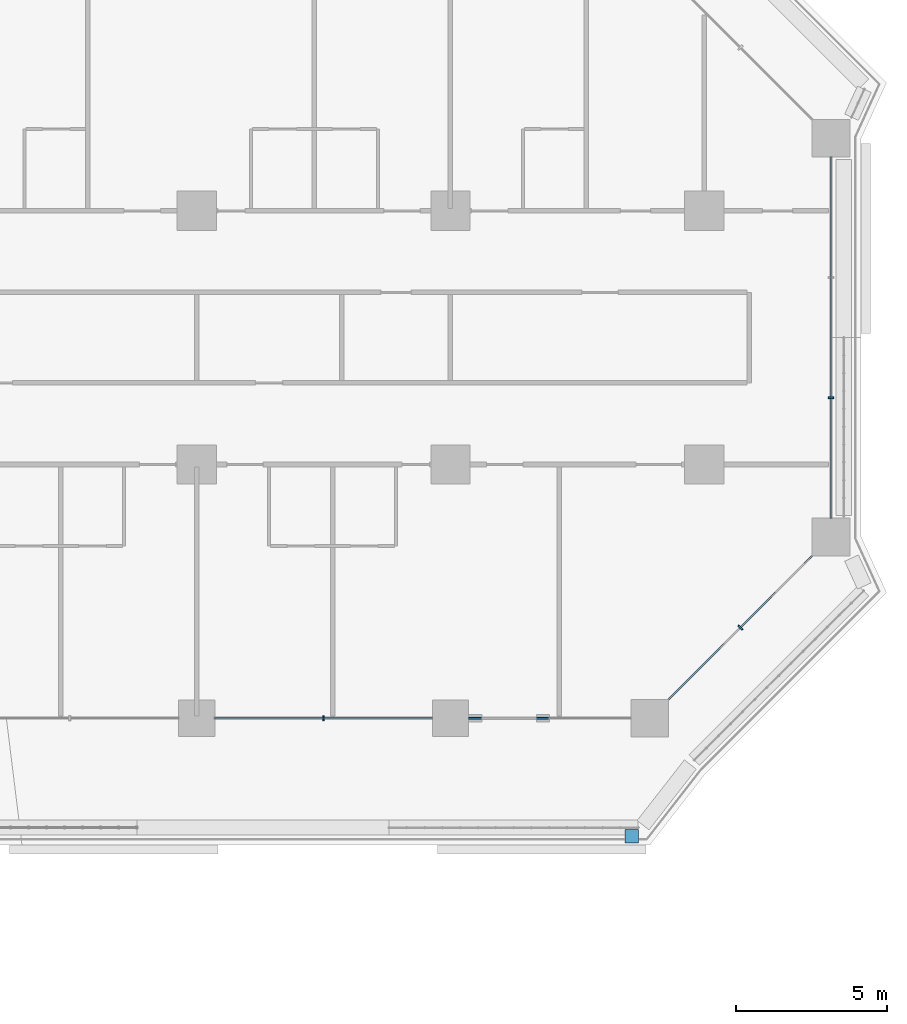
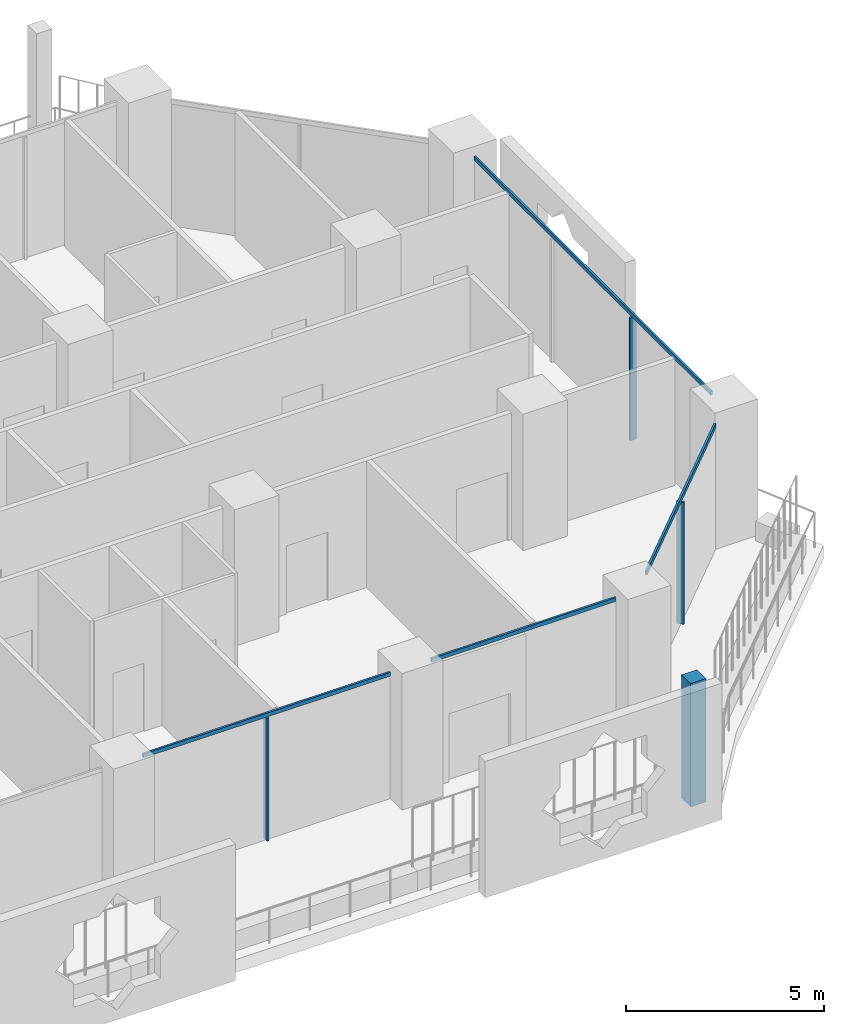
# One storey, part 7 of 28: 8 members, 4 elements without a shape of their own.
"""IFC4 building model written with IfcOpenShell, lengths in metres."""

import ifcopenshell
import ifcopenshell.guid

model = None  # the IFC model being written
_history = None  # IfcOwnerHistory: only IFC2X3 demands one
_inside = {}  # id of a spatial element -> (the spatial element, [elements in it])
_under = {}  # id of a project, library or spatial element -> (it, [spatial elements below it])
_declared = {}  # id of a project -> (the project, [libraries it declares])
_typed = {}  # id of a type object -> (the type object, [elements of that type])
_made_of = {}  # id of a material, layer set ... -> (it, [elements and type objects made of it])


def new_model(schema):
    """Start an empty IFC model of exactly this schema.

    Asked for "IFC4X3", IfcOpenShell would pick the latest addendum, in which some entities
    have other attributes; the version numbers below select the first issue.
    IFC2X3 requires an IfcOwnerHistory on every rooted entity: one is made here for all.
    """
    global model, _history
    if schema == "IFC4X3":
        model = ifcopenshell.file(schema_version=(4, 3, 0, 0))
    else:
        model = ifcopenshell.file(schema=schema)
    _inside.clear()
    _under.clear()
    _declared.clear()
    _typed.clear()
    _made_of.clear()
    _history = None
    if model.schema == "IFC2X3":
        org = make("IfcOrganization", Name="unknown")
        user = make(
            "IfcPersonAndOrganization",
            ThePerson=make("IfcPerson", FamilyName="unknown"),
            TheOrganization=org,
        )
        app = make(
            "IfcApplication",
            ApplicationDeveloper=org,
            Version="unknown",
            ApplicationFullName="unknown",
            ApplicationIdentifier="unknown",
        )
        _history = make(
            "IfcOwnerHistory",
            OwningUser=user,
            OwningApplication=app,
            ChangeAction="ADDED",
            CreationDate=0,
        )
    return model


def make(cls, **values):
    """One entity of the class cls with the attributes given. An attribute that is None is left unset."""
    return model.create_entity(
        cls, **{name: value for name, value in values.items() if value is not None}
    )


def rooted(cls, **values):
    """An entity with a GlobalId (a new one), such as an element, a storey or a relation."""
    return make(cls, GlobalId=ifcopenshell.guid.new(), OwnerHistory=_history, **values)


def si_unit(unit_type, name, prefix=None):
    """IfcSIUnit, for example si_unit("LENGTHUNIT", "METRE", prefix="MILLI")."""
    return make("IfcSIUnit", UnitType=unit_type, Prefix=prefix, Name=name)


def assignment(units):
    """IfcUnitAssignment: the units of a project."""
    return None if units is None else make("IfcUnitAssignment", Units=units)


def point(xyz):
    """IfcCartesianPoint."""
    return None if xyz is None else make("IfcCartesianPoint", Coordinates=xyz)


def direction(xyz):
    """IfcDirection."""
    return None if xyz is None else make("IfcDirection", DirectionRatios=xyz)


def frame(location, z_axis=None, x_axis=None):
    """IfcAxis2Placement3D, a coordinate frame: its origin and axes. An axis left out is left unset."""
    return make(
        "IfcAxis2Placement3D",
        Location=point(location),
        Axis=direction(z_axis),
        RefDirection=direction(x_axis),
    )


def frame_2d(location, x_axis=None):
    """IfcAxis2Placement2D, a coordinate frame in the plane: its origin and x axis."""
    return make(
        "IfcAxis2Placement2D", Location=point(location), RefDirection=direction(x_axis)
    )


def origin():
    """The frame at (0, 0, 0) with its axes left unset."""
    return frame((0.0, 0.0, 0.0))


def origin_2d():
    """The frame at (0, 0) in the plane with its x axis left unset."""
    return frame_2d((0.0, 0.0))


def place(relative_to, where):
    """IfcLocalPlacement: puts the frame where relative to a parent placement (None: the world)."""
    return make(
        "IfcLocalPlacement", PlacementRelTo=relative_to, RelativePlacement=where
    )


def context(
    kind, dimensions, precision=None, world=None, true_north=None, identifier=None
):
    """IfcGeometricRepresentationContext, for example the 3D "Model" context."""
    return make(
        "IfcGeometricRepresentationContext",
        ContextIdentifier=identifier,
        ContextType=kind,
        CoordinateSpaceDimension=dimensions,
        Precision=precision,
        WorldCoordinateSystem=world,
        TrueNorth=true_north,
    )


def subcontext(parent, identifier, kind, view, scale=None):
    """IfcGeometricRepresentationSubContext, for example "Body" below "Model"."""
    return make(
        "IfcGeometricRepresentationSubContext",
        ContextIdentifier=identifier,
        ContextType=kind,
        ParentContext=parent,
        TargetScale=scale,
        TargetView=view,
    )


def project(units=None, contexts=None):
    """IfcProject with its units and contexts."""
    return rooted(
        "IfcProject",
        Name="project",
        RepresentationContexts=contexts,
        UnitsInContext=assignment(units),
    )


def spatial(cls, under=None, at=None, **own):
    """A site, building, storey or space (cls), placed at a placement, below another one or the project."""
    s = rooted(cls, ObjectPlacement=at, **own)
    if under is not None:
        _under.setdefault(under.id(), (under, []))[1].append(s)
    return s


def profile(cls, at=None, kind="AREA", **sizes):
    """A parametric profile (cls). Its sizes go by their IFC names, for example OverallWidth=200.0."""
    return make(cls, ProfileType=kind, Position=at, **sizes)


def rectangle(**sizes):
    """IfcRectangleProfileDef."""
    return profile("IfcRectangleProfileDef", **sizes)


def extrude(swept, where, along, depth):
    """IfcExtrudedAreaSolid: the profile swept, set in the frame where, extruded along a direction by depth."""
    return make(
        "IfcExtrudedAreaSolid",
        SweptArea=swept,
        Position=where,
        ExtrudedDirection=direction(along),
        Depth=depth,
    )


def shape(context_of_items, identifier, shape_type, items):
    """IfcShapeRepresentation: the items that make up one representation, for example the "Body"."""
    return make(
        "IfcShapeRepresentation",
        ContextOfItems=context_of_items,
        RepresentationIdentifier=identifier,
        RepresentationType=shape_type,
        Items=items,
    )


def material(Name=None, Category=None):
    """IfcMaterial."""
    return make("IfcMaterial", Name=Name, Category=Category)


def layer(
    of_material, thickness, ventilated=None, Name=None, Category=None, Priority=None
):
    """IfcMaterialLayer: one layer of a wall or slab, of a material (None: an air gap)."""
    return make(
        "IfcMaterialLayer",
        Material=of_material,
        LayerThickness=thickness,
        IsVentilated=ventilated,
        Name=Name,
        Category=Category,
        Priority=Priority,
    )


def layer_set(layers, Name=None):
    """IfcMaterialLayerSet."""
    return make("IfcMaterialLayerSet", MaterialLayers=layers, LayerSetName=Name)


def material_profile(
    of_material, cross_section, Name=None, Category=None, Priority=None
):
    """IfcMaterialProfile: a cross section and its material."""
    return make(
        "IfcMaterialProfile",
        Name=Name,
        Material=of_material,
        Profile=cross_section,
        Priority=Priority,
        Category=Category,
    )


def profile_set(profiles, Name=None, composite=None):
    """IfcMaterialProfileSet."""
    return make(
        "IfcMaterialProfileSet",
        Name=Name,
        MaterialProfiles=profiles,
        CompositeProfile=composite,
    )


def made_of(thing, what):
    """Note that an element or type object is made of a material, layer set ...; save() writes the relation."""
    if what is not None:
        _made_of.setdefault(what.id(), (what, []))[1].append(thing)
    return thing


def type_object(cls, material=None, **own):
    """A type object (cls), such as IfcWallType, which elements share."""
    return made_of(rooted(cls, **own), material)


def element(
    cls,
    number,
    at=None,
    inside=None,
    cuts=None,
    type_object=None,
    material=None,
    context=None,
    identifier="Body",
    shape_type=None,
    held_by="IfcProductDefinitionShape",
    body=None,
    shapes=None,
    **own,
):
    """One element of the class cls, such as IfcWall. Its Tag is "e" and its number.

    at: its placement. inside: the storey or other place that contains it. cuts: it is an
    opening in that element (IfcRelVoidsElement). A single representation is given by context,
    identifier, shape_type and body (its items); several are given by shapes. held_by: the class
    of the entity that holds the representations. save() writes the other relations.
    """
    e = rooted(cls, Tag="e%d" % number, ObjectPlacement=at, **own)
    if body is not None:
        shapes = [shape(context, identifier, shape_type, body)]
    if shapes is not None:
        e.Representation = make(held_by, Representations=shapes)
    if inside is not None:
        _inside.setdefault(inside.id(), (inside, []))[1].append(e)
    if cuts is not None:
        rooted(
            "IfcRelVoidsElement", RelatingBuildingElement=cuts, RelatedOpeningElement=e
        )
    if type_object is not None:
        _typed.setdefault(type_object.id(), (type_object, []))[1].append(e)
    return made_of(e, material)


def aggregate(whole, parts):
    """IfcRelAggregates: a whole, such as a stair, and the parts it consists of."""
    return rooted("IfcRelAggregates", RelatingObject=whole, RelatedObjects=parts)


def save(model, path):
    """Write the relations noted so far, then the file.

    IfcRelAggregates (storeys below a building ...), IfcRelContainedInSpatialStructure (elements
    in a storey), IfcRelDefinesByType, IfcRelAssociatesMaterial and IfcRelDeclares: one each for
    every whole, place, type object, material and project.
    """
    for whole, parts in _under.values():
        aggregate(whole, parts)
    for where, things in _inside.values():
        rooted(
            "IfcRelContainedInSpatialStructure",
            RelatedElements=things,
            RelatingStructure=where,
        )
    for kind, things in _typed.values():
        rooted("IfcRelDefinesByType", RelatedObjects=things, RelatingType=kind)
    for what, things in _made_of.values():
        rooted("IfcRelAssociatesMaterial", RelatedObjects=things, RelatingMaterial=what)
    for by, libraries in _declared.values():
        rooted("IfcRelDeclares", RelatingContext=by, RelatedDefinitions=libraries)
    model.write(path)


model = new_model("IFC4")

# Units and contexts
model_context = context("Model", 3, precision=1e-05, world=origin(), true_north=direction((0.0, 1.0)))
body_context = subcontext(model_context, "Body", "Model", "MODEL_VIEW")
ifc_project = project(units=[si_unit("LENGTHUNIT", "METRE"), si_unit("AREAUNIT", "SQUARE_METRE"), si_unit("VOLUMEUNIT", "CUBIC_METRE"), si_unit("PLANEANGLEUNIT", "RADIAN"), si_unit("MASSUNIT", "GRAM", prefix="KILO")], contexts=[model_context])

# Site, building, storey
site_placement = place(None, origin())
site = spatial("IfcSite", under=ifc_project, at=site_placement, CompositionType="ELEMENT")
building_placement = place(site_placement, origin())
building = spatial("IfcBuilding", under=site, at=building_placement, Name="Kawkab Arch Medical Tower", CompositionType="ELEMENT")
storey_placement = place(building_placement, frame((0.0, 0.0, 56.0)))
storey = spatial("IfcBuildingStorey", under=building, at=storey_placement, Name="L12", CompositionType="ELEMENT", Elevation=56.0)

# Curtain wall, member
ifc_material_1 = material(Name="Bronze anodised aluminium curtain wall frame", Category="aluminium")
ifc_layer_1 = layer(ifc_material_1, 0.159912109375)
ifc_layer_set_1 = layer_set([ifc_layer_1], Name="Bronze anodised aluminium curtain wall frame")
curtain_wall_type_1 = type_object("IfcCurtainWallType", Name="CW1 ward curtain wall", PredefinedType="NOTDEFINED", material=ifc_layer_set_1)
placement = place(storey_placement, origin())
curtain_wall_1 = element("IfcCurtainWall", 1, at=placement, inside=storey, type_object=curtain_wall_type_1, Name="CW1 Ward curtain wall R07", PredefinedType="NOTDEFINED")
ifc_material_2 = material(Name="Bronze anodised aluminium curtain wall frame", Category="aluminium")
ifc_material_profile_1 = material_profile(ifc_material_2, rectangle(XDim=0.179931640625, YDim=0.06005859375, at=origin_2d()), Name="AL 60x180")
ifc_profile_set_1 = profile_set([ifc_material_profile_1], Name="Bronze anodised aluminium curtain wall frame")
member_type_1 = type_object("IfcMemberType", Name="CW1 mullion 60 x 180", PredefinedType="MULLION", material=ifc_profile_set_1)
member_1_placement = place(storey_placement, frame((63.0, -25.199951171875, 0.0), z_axis=(0.0, 0.0, 1.0), x_axis=(0.0, 1.0, 0.0)))
member_1 = element("IfcMember", 2, at=member_1_placement, type_object=member_type_1, Name="CW1 mullion 4.1", PredefinedType="MULLION", context=body_context, shape_type="SweptSolid", body=[
    extrude(rectangle(XDim=0.179931640625, YDim=0.06005859375, at=origin_2d()), origin(), (0.0, 0.0, 1.0), 3.780029296875),
])

curtain_wall_2 = element("IfcCurtainWall", 3, at=placement, inside=storey, type_object=curtain_wall_type_1, Name="CW1 Ward curtain wall R09", PredefinedType="NOTDEFINED")
member_2_placement = place(storey_placement, frame((79.800048828125, -14.591552734375, 0.0), z_axis=(0.0, 0.0, 1.0), x_axis=(-1.0, 0.0, 0.0)))
member_2 = element("IfcMember", 4, at=member_2_placement, type_object=member_type_1, Name="CW1 mullion 1.1", PredefinedType="MULLION", context=body_context, shape_type="SweptSolid", body=[
    extrude(rectangle(XDim=0.179931640625, YDim=0.06005859375, at=origin_2d()), origin(), (0.0, 0.0, 1.0), 3.780029296875),
])

# Member
ifc_material_3 = material(Name="Bronze anodised aluminium curtain wall frame", Category="aluminium")
ifc_material_profile_2 = material_profile(ifc_material_3, rectangle(XDim=0.06005859375, YDim=0.1201171875, at=origin_2d()), Name="AL 60x120")
ifc_profile_set_2 = profile_set([ifc_material_profile_2], Name="Bronze anodised aluminium curtain wall frame")
member_type_2 = type_object("IfcMemberType", Name="CW1 transom 120 x 60", PredefinedType="USERDEFINED", material=ifc_profile_set_2)
member_3_placement = place(storey_placement, frame((59.39990234375, -25.199951171875, 3.840087890625), z_axis=(1.0, 0.0, 0.0), x_axis=(0.0, 1.0, 0.0)))
member_3 = element("IfcMember", 5, at=member_3_placement, type_object=member_type_2, Name="CW1 transom 4", ObjectType="TRANSOM", PredefinedType="USERDEFINED", context=body_context, shape_type="SweptSolid", body=[
    extrude(rectangle(XDim=0.06005859375, YDim=0.1201171875, at=origin_2d()), origin(), (0.0, 0.0, 1.0), 7.2001953125),
])

member_4_placement = place(storey_placement, frame((67.800048828125, -25.199951171875, 3.840087890625), z_axis=(1.0, 0.0, 0.0), x_axis=(0.0, 1.0, 0.0)))
member_4 = element("IfcMember", 6, at=member_4_placement, type_object=member_type_2, Name="CW1 transom 5", ObjectType="TRANSOM", PredefinedType="USERDEFINED", context=body_context, shape_type="SweptSolid", body=[
    extrude(rectangle(XDim=0.06005859375, YDim=0.1201171875, at=origin_2d()), origin(), (0.0, 0.0, 1.0), 5.375),
])

aggregate(curtain_wall_1, [member_3, member_1, member_4])

member_5_placement = place(storey_placement, frame((79.800048828125, -18.574951171875, 3.840087890625), z_axis=(0.0, 1.0, 0.0), x_axis=(-1.0, 0.0, 0.0)))
member_5 = element("IfcMember", 7, at=member_5_placement, type_object=member_type_2, Name="CW1 transom 1", ObjectType="TRANSOM", PredefinedType="USERDEFINED", context=body_context, shape_type="SweptSolid", body=[
    extrude(rectangle(XDim=0.06005859375, YDim=0.1201171875, at=origin_2d()), origin(), (0.0, 0.0, 1.0), 11.949951171875),
])

aggregate(curtain_wall_2, [member_5, member_2])

# Curtain wall, members
ifc_material_4 = material(Name="Bronze anodised aluminium curtain wall frame", Category="aluminium")
ifc_layer_2 = layer(ifc_material_4, 0.159912109375)
ifc_layer_set_2 = layer_set([ifc_layer_2], Name="Bronze anodised aluminium curtain wall frame")
curtain_wall_type_2 = type_object("IfcCurtainWallType", Name="CW2 chamfer curtain wall", PredefinedType="NOTDEFINED", material=ifc_layer_set_2)
curtain_wall_3 = element("IfcCurtainWall", 8, at=placement, inside=storey, type_object=curtain_wall_type_2, Name="CW2 Chamfer curtain wall R08", PredefinedType="NOTDEFINED")
ifc_material_5 = material(Name="Bronze anodised aluminium curtain wall frame", Category="aluminium")
ifc_material_profile_3 = material_profile(ifc_material_5, rectangle(XDim=0.199951171875, YDim=0.06005859375, at=origin_2d()), Name="AL 60x200")
ifc_profile_set_3 = profile_set([ifc_material_profile_3], Name="Bronze anodised aluminium curtain wall frame")
member_type_3 = type_object("IfcMemberType", Name="CW2 mullion 60 x 200", PredefinedType="MULLION", material=ifc_profile_set_3)
member_6_placement = place(storey_placement, frame((76.800048828125, -22.199951171875, 0.0), z_axis=(0.0, 0.0, 1.0), x_axis=(-0.707106781187, 0.707106781187, 0.0)))
member_6 = element("IfcMember", 9, at=member_6_placement, type_object=member_type_3, Name="CW2 mullion 1.1", PredefinedType="MULLION", context=body_context, shape_type="SweptSolid", body=[
    extrude(rectangle(XDim=0.199951171875, YDim=0.06005859375, at=origin_2d()), origin(), (0.0, 0.0, 1.0), 3.760009765625),
])
ifc_material_6 = material(Name="Bronze anodised aluminium curtain wall frame", Category="aluminium")
ifc_material_profile_4 = material_profile(ifc_material_6, rectangle(XDim=0.06005859375, YDim=0.139892578125, at=origin_2d()), Name="AL 60x140")
ifc_profile_set_4 = profile_set([ifc_material_profile_4], Name="Bronze anodised aluminium curtain wall frame")
member_type_4 = type_object("IfcMemberType", Name="CW2 transom 140 x 60", PredefinedType="USERDEFINED", material=ifc_profile_set_4)
member_7_placement = place(storey_placement, frame((74.425048828125, -24.574951171875, 3.830078125), z_axis=(0.707106781187, 0.707106781187, 0.0), x_axis=(-0.707106781187, 0.707106781187, 0.0)))
member_7 = element("IfcMember", 10, at=member_7_placement, type_object=member_type_4, Name="CW2 transom 1", ObjectType="TRANSOM", PredefinedType="USERDEFINED", context=body_context, shape_type="SweptSolid", body=[
    extrude(rectangle(XDim=0.06005859375, YDim=0.139892578125, at=origin_2d()), origin(), (0.0, 0.0, 1.0), 6.717529296875),
])
aggregate(curtain_wall_3, [member_7, member_6])

# Curtain wall, member
ifc_material_7 = material(Name="Bronze anodised aluminium climber frame, planted", Category="aluminium")
ifc_layer_3 = layer(ifc_material_7, 0.449951171875)
ifc_layer_set_3 = layer_set([ifc_layer_3], Name="Bronze anodised aluminium climber frame, planted")
curtain_wall_type_3 = type_object("IfcCurtainWallType", Name="Planted climber frame", PredefinedType="NOTDEFINED", material=ifc_layer_set_3)
curtain_wall_4 = element("IfcCurtainWall", 11, at=placement, inside=storey, type_object=curtain_wall_type_3, Name="Planted climber frame L12", PredefinedType="NOTDEFINED")
ifc_material_8 = material(Name="Bronze anodised aluminium climber frame, planted", Category="aluminium")
ifc_material_profile_5 = material_profile(ifc_material_8, rectangle(XDim=0.449951171875, YDim=0.449951171875, at=origin_2d()), Name="Post 450x450")
ifc_profile_set_5 = profile_set([ifc_material_profile_5], Name="Bronze anodised aluminium climber frame, planted")
member_type_5 = type_object("IfcMemberType", Name="Planted climber post 450 x 450", PredefinedType="MULLION", material=ifc_profile_set_5)
member_8_placement = place(storey_placement, frame((73.202880859375, -29.10009765625, 0.0), z_axis=(0.0, 0.0, 1.0), x_axis=(1.0, 0.0, 0.0)))
member_8 = element("IfcMember", 12, at=member_8_placement, type_object=member_type_5, Name="Planted climber post L12.LOG-01-01.5", PredefinedType="MULLION", context=body_context, shape_type="SweptSolid", body=[
    extrude(rectangle(XDim=0.449951171875, YDim=0.449951171875, at=origin_2d()), origin(), (0.0, 0.0, 1.0), 3.800048828125),
])
aggregate(curtain_wall_4, [member_8])

save(model, "model.ifc")
